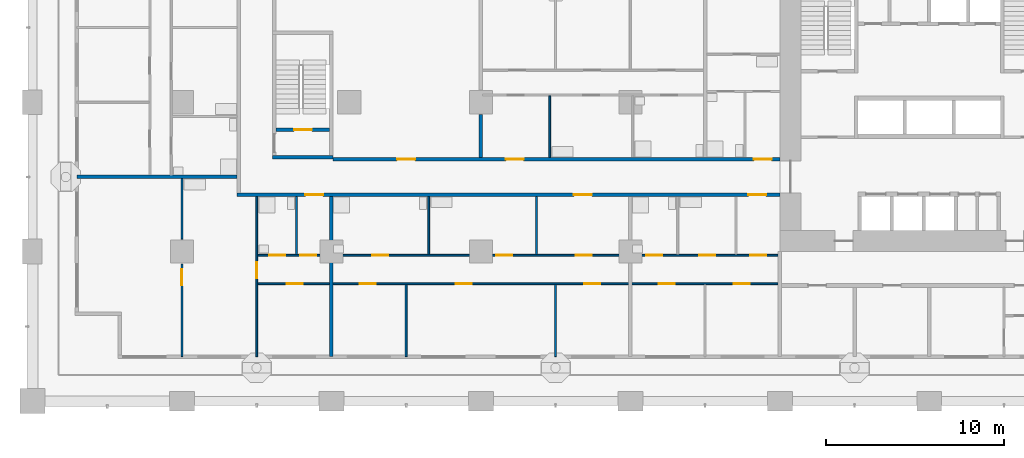
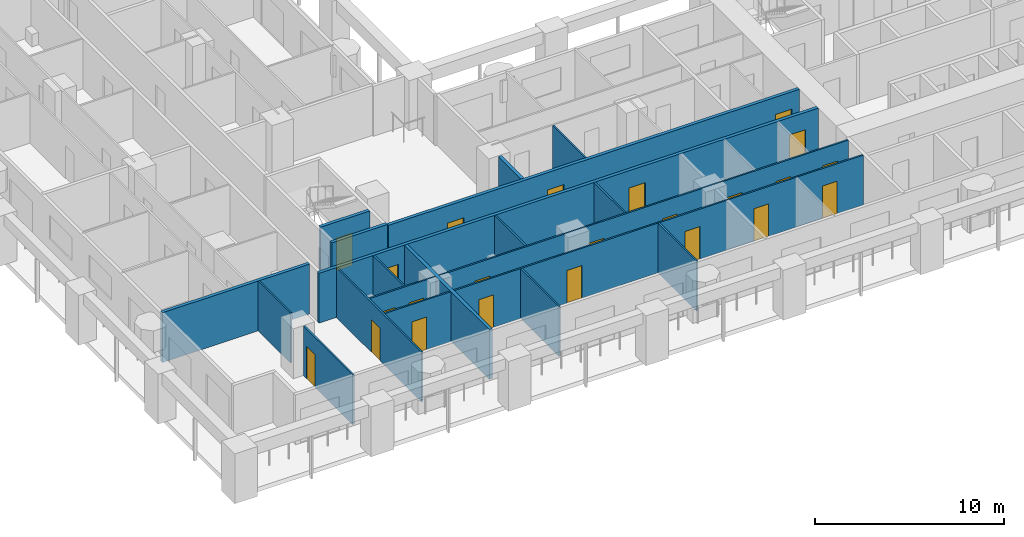
# One storey, part 2 of 20: 23 doors, 18 walls, 23 openings.
"""IFC4 building model written with IfcOpenShell, lengths in metres."""

from ifc_helpers import new_model, si_unit, direction, frame, frame_2d, origin, place, context, subcontext, project, spatial, rectangle, extrude, material, layer, layer_set, type_object, element, fill, save


model = new_model("IFC4")

# Units and contexts
model_context = context("Model", 3, precision=1e-05, world=origin(), true_north=direction((0.0, 1.0)))
body_context = subcontext(model_context, "Body", "Model", "MODEL_VIEW")
ifc_project = project(units=[si_unit("LENGTHUNIT", "METRE"), si_unit("AREAUNIT", "SQUARE_METRE"), si_unit("VOLUMEUNIT", "CUBIC_METRE"), si_unit("PLANEANGLEUNIT", "RADIAN"), si_unit("MASSUNIT", "GRAM", prefix="KILO")], contexts=[model_context])

# Site, building, storey
site_placement = place(None, origin())
site = spatial("IfcSite", under=ifc_project, at=site_placement, CompositionType="ELEMENT")
building_placement = place(site_placement, origin())
building = spatial("IfcBuilding", under=site, at=building_placement, Name="Vermilion Gate Residences", CompositionType="ELEMENT")
storey_placement = place(building_placement, frame((0.0, 0.0, 39.199951171875)))
storey = spatial("IfcBuildingStorey", under=building, at=storey_placement, Name="L08", CompositionType="ELEMENT", Elevation=39.199951171875)

# Wall, openings, doors
ifc_material_1 = material(Name="Plasterboard on steel studs", Category="steel")
ifc_layer_1 = layer(ifc_material_1, 0.10009765625)
ifc_layer_set_1 = layer_set([ifc_layer_1], Name="PARTITION 100")
wall_type_1 = type_object("IfcWallType", Name="PARTITION 100", PredefinedType="PARTITIONING", material=ifc_layer_set_1)
wall_1_placement = place(storey_placement, frame((12.64990234375, 6.60009765625, 0.0), z_axis=(0.0, 0.0, 1.0), x_axis=(1.0, 0.0, 0.0)))
wall_1 = element("IfcWall", 1, at=wall_1_placement, inside=storey, type_object=wall_type_1, Name="Partition", PredefinedType="PARTITIONING", context=body_context, shape_type="SweptSolid", body=[
    extrude(rectangle(XDim=29.25, YDim=0.10009765625, at=frame_2d((14.625, 0.0))), origin(), (0.0, 0.0, 1.0), 3.219970703125),
])
opening_1_placement = place(wall_1_placement, frame((1.64990234375, 0.0, 0.0)))
opening_1 = element("IfcOpeningElement", 2, at=opening_1_placement, cuts=wall_1, Name="Opening DA07007", PredefinedType="OPENING", context=body_context, shape_type="SweptSolid", body=[
    extrude(rectangle(XDim=0.89990234375, YDim=2.10009765625, at=frame_2d((0.449951171875, 1.050048828125))), frame((0.0, 0.06005859375, 0.0), z_axis=(0.0, -1.0, 0.0), x_axis=(1.0, 0.0, 0.0)), (0.0, 0.0, 1.0), 0.1201171875),
])
opening_2_placement = place(wall_1_placement, frame((5.75, 0.0, 0.0)))
opening_2 = element("IfcOpeningElement", 3, at=opening_2_placement, cuts=wall_1, Name="Opening DA07008", PredefinedType="OPENING", context=body_context, shape_type="SweptSolid", body=[
    extrude(rectangle(XDim=0.89990234375, YDim=2.10009765625, at=frame_2d((0.449951171875, 1.050048828125))), frame((0.0, 0.06005859375, 0.0), z_axis=(0.0, -1.0, 0.0), x_axis=(1.0, 0.0, 0.0)), (0.0, 0.0, 1.0), 0.1201171875),
])
opening_3_placement = place(wall_1_placement, frame((11.14990234375, 0.0, 0.0)))
opening_3 = element("IfcOpeningElement", 4, at=opening_3_placement, cuts=wall_1, Name="Opening DA07009", PredefinedType="OPENING", context=body_context, shape_type="SweptSolid", body=[
    extrude(rectangle(XDim=0.89990234375, YDim=2.10009765625, at=frame_2d((0.449951171875, 1.050048828125))), frame((0.0, 0.06005859375, 0.0), z_axis=(0.0, -1.0, 0.0), x_axis=(1.0, 0.0, 0.0)), (0.0, 0.0, 1.0), 0.1201171875),
])
opening_4_placement = place(wall_1_placement, frame((18.35009765625, 0.0, 0.0)))
opening_4 = element("IfcOpeningElement", 5, at=opening_4_placement, cuts=wall_1, Name="Opening DA07010", PredefinedType="OPENING", context=body_context, shape_type="SweptSolid", body=[
    extrude(rectangle(XDim=0.89990234375, YDim=2.10009765625, at=frame_2d((0.449951171875, 1.050048828125))), frame((0.0, 0.06005859375, 0.0), z_axis=(0.0, -1.0, 0.0), x_axis=(1.0, 0.0, 0.0)), (0.0, 0.0, 1.0), 0.1201171875),
])
opening_5_placement = place(wall_1_placement, frame((22.550048828125, 0.0, 0.0)))
opening_5 = element("IfcOpeningElement", 6, at=opening_5_placement, cuts=wall_1, Name="Opening DA07011", PredefinedType="OPENING", context=body_context, shape_type="SweptSolid", body=[
    extrude(rectangle(XDim=0.89990234375, YDim=2.10009765625, at=frame_2d((0.449951171875, 1.050048828125))), frame((0.0, 0.06005859375, 0.0), z_axis=(0.0, -1.0, 0.0), x_axis=(1.0, 0.0, 0.0)), (0.0, 0.0, 1.0), 0.1201171875),
])
opening_6_placement = place(wall_1_placement, frame((26.75, 0.0, 0.0)))
opening_6 = element("IfcOpeningElement", 7, at=opening_6_placement, cuts=wall_1, Name="Opening DA07012", PredefinedType="OPENING", context=body_context, shape_type="SweptSolid", body=[
    extrude(rectangle(XDim=0.89990234375, YDim=2.10009765625, at=frame_2d((0.449951171875, 1.050048828125))), frame((0.0, 0.06005859375, 0.0), z_axis=(0.0, -1.0, 0.0), x_axis=(1.0, 0.0, 0.0)), (0.0, 0.0, 1.0), 0.1201171875),
])
ifc_material_2 = material(Name="Timber", Category="wood")
door_type_1 = type_object("IfcDoorType", Name="INTERIOR DOOR 900 X 2100", OperationType="SINGLE_SWING_LEFT", PredefinedType="DOOR", material=ifc_material_2)
door_1_placement = place(opening_1_placement, frame((0.89990234375, 0.0, 0.0), z_axis=(0.0, 0.0, 1.0), x_axis=(-1.0, 0.0, 0.0)))
door_1 = element("IfcDoor", 8, at=door_1_placement, inside=storey, type_object=door_type_1, Name="Interior door", OperationType="SINGLE_SWING_LEFT", OverallHeight=2.10009765625, OverallWidth=0.89990234375, PredefinedType="DOOR", context=body_context, shape_type="SweptSolid", body=[
    extrude(rectangle(XDim=0.89990234375, YDim=2.10009765625, at=frame_2d((0.449951171875, 1.050048828125))), frame((0.0, 0.02490234375, 0.0), z_axis=(0.0, -1.0, 0.0), x_axis=(1.0, 0.0, 0.0)), (0.0, 0.0, 1.0), 0.050048828125),
])
fill(opening_1, door_1)
door_2_placement = place(opening_2_placement, frame((0.89990234375, 0.0, 0.0), z_axis=(0.0, 0.0, 1.0), x_axis=(-1.0, 0.0, 0.0)))
door_2 = element("IfcDoor", 9, at=door_2_placement, inside=storey, type_object=door_type_1, Name="Interior door", OperationType="SINGLE_SWING_RIGHT", OverallHeight=2.10009765625, OverallWidth=0.89990234375, PredefinedType="DOOR", context=body_context, shape_type="SweptSolid", body=[
    extrude(rectangle(XDim=0.89990234375, YDim=2.10009765625, at=frame_2d((0.449951171875, 1.050048828125))), frame((0.0, 0.02490234375, 0.0), z_axis=(0.0, -1.0, 0.0), x_axis=(1.0, 0.0, 0.0)), (0.0, 0.0, 1.0), 0.050048828125),
])
fill(opening_2, door_2)
door_3_placement = place(opening_3_placement, frame((0.89990234375, 0.0, 0.0), z_axis=(0.0, 0.0, 1.0), x_axis=(-1.0, 0.0, 0.0)))
door_3 = element("IfcDoor", 10, at=door_3_placement, inside=storey, type_object=door_type_1, Name="Interior door", OperationType="SINGLE_SWING_RIGHT", OverallHeight=2.10009765625, OverallWidth=0.89990234375, PredefinedType="DOOR", context=body_context, shape_type="SweptSolid", body=[
    extrude(rectangle(XDim=0.89990234375, YDim=2.10009765625, at=frame_2d((0.449951171875, 1.050048828125))), frame((0.0, 0.02490234375, 0.0), z_axis=(0.0, -1.0, 0.0), x_axis=(1.0, 0.0, 0.0)), (0.0, 0.0, 1.0), 0.050048828125),
])
fill(opening_3, door_3)
door_4_placement = place(opening_4_placement, frame((0.89990234375, 0.0, 0.0), z_axis=(0.0, 0.0, 1.0), x_axis=(-1.0, 0.0, 0.0)))
door_4 = element("IfcDoor", 11, at=door_4_placement, inside=storey, type_object=door_type_1, Name="Interior door", OperationType="SINGLE_SWING_RIGHT", OverallHeight=2.10009765625, OverallWidth=0.89990234375, PredefinedType="DOOR", context=body_context, shape_type="SweptSolid", body=[
    extrude(rectangle(XDim=0.89990234375, YDim=2.10009765625, at=frame_2d((0.449951171875, 1.050048828125))), frame((0.0, 0.02490234375, 0.0), z_axis=(0.0, -1.0, 0.0), x_axis=(1.0, 0.0, 0.0)), (0.0, 0.0, 1.0), 0.050048828125),
])
fill(opening_4, door_4)
door_5_placement = place(opening_5_placement, frame((0.89990234375, 0.0, 0.0), z_axis=(0.0, 0.0, 1.0), x_axis=(-1.0, 0.0, 0.0)))
door_5 = element("IfcDoor", 12, at=door_5_placement, inside=storey, type_object=door_type_1, Name="Interior door", OperationType="SINGLE_SWING_RIGHT", OverallHeight=2.10009765625, OverallWidth=0.89990234375, PredefinedType="DOOR", context=body_context, shape_type="SweptSolid", body=[
    extrude(rectangle(XDim=0.89990234375, YDim=2.10009765625, at=frame_2d((0.449951171875, 1.050048828125))), frame((0.0, 0.02490234375, 0.0), z_axis=(0.0, -1.0, 0.0), x_axis=(1.0, 0.0, 0.0)), (0.0, 0.0, 1.0), 0.050048828125),
])
fill(opening_5, door_5)
door_6_placement = place(opening_6_placement, frame((0.89990234375, 0.0, 0.0), z_axis=(0.0, 0.0, 1.0), x_axis=(-1.0, 0.0, 0.0)))
door_6 = element("IfcDoor", 13, at=door_6_placement, inside=storey, type_object=door_type_1, Name="Interior door", OperationType="SINGLE_SWING_RIGHT", OverallHeight=2.10009765625, OverallWidth=0.89990234375, PredefinedType="DOOR", context=body_context, shape_type="SweptSolid", body=[
    extrude(rectangle(XDim=0.89990234375, YDim=2.10009765625, at=frame_2d((0.449951171875, 1.050048828125))), frame((0.0, 0.02490234375, 0.0), z_axis=(0.0, -1.0, 0.0), x_axis=(1.0, 0.0, 0.0)), (0.0, 0.0, 1.0), 0.050048828125),
])
fill(opening_6, door_6)

wall_2_placement = place(storey_placement, frame((12.64990234375, 8.199951171875, 0.0), z_axis=(0.0, 0.0, 1.0), x_axis=(1.0, 0.0, 0.0)))
wall_2 = element("IfcWall", 14, at=wall_2_placement, inside=storey, type_object=wall_type_1, Name="Partition", PredefinedType="PARTITIONING", context=body_context, shape_type="SweptSolid", body=[
    extrude(rectangle(XDim=29.25, YDim=0.10009765625, at=frame_2d((14.625, 0.0))), origin(), (0.0, 0.0, 1.0), 3.219970703125),
])
opening_7_placement = place(wall_2_placement, frame((2.389892578125, 0.0, 0.0)))
opening_7 = element("IfcOpeningElement", 15, at=opening_7_placement, cuts=wall_2, Name="Opening DA07013", PredefinedType="OPENING", context=body_context, shape_type="SweptSolid", body=[
    extrude(rectangle(XDim=0.89990234375, YDim=2.10009765625, at=frame_2d((0.449951171875, 1.050048828125))), frame((0.0, 0.06005859375, 0.0), z_axis=(0.0, -1.0, 0.0), x_axis=(1.0, 0.0, 0.0)), (0.0, 0.0, 1.0), 0.1201171875),
])
opening_8_placement = place(wall_2_placement, frame((0.64990234375, 0.0, 0.0)))
opening_8 = element("IfcOpeningElement", 16, at=opening_8_placement, cuts=wall_2, Name="Opening DA07014", PredefinedType="OPENING", context=body_context, shape_type="SweptSolid", body=[
    extrude(rectangle(XDim=0.89990234375, YDim=2.10009765625, at=frame_2d((0.449951171875, 1.050048828125))), frame((0.0, 0.06005859375, 0.0), z_axis=(0.0, -1.0, 0.0), x_axis=(1.0, 0.0, 0.0)), (0.0, 0.0, 1.0), 0.1201171875),
])
opening_9_placement = place(wall_2_placement, frame((17.883056640625, 0.0, 0.0)))
opening_9 = element("IfcOpeningElement", 17, at=opening_9_placement, cuts=wall_2, Name="Opening DA07015", PredefinedType="OPENING", context=body_context, shape_type="SweptSolid", body=[
    extrude(rectangle(XDim=0.89990234375, YDim=2.10009765625, at=frame_2d((0.449951171875, 1.050048828125))), frame((0.0, 0.06005859375, 0.0), z_axis=(0.0, -1.0, 0.0), x_axis=(1.0, 0.0, 0.0)), (0.0, 0.0, 1.0), 0.1201171875),
])
opening_10_placement = place(wall_2_placement, frame((6.449951171875, 0.0, 0.0)))
opening_10 = element("IfcOpeningElement", 18, at=opening_10_placement, cuts=wall_2, Name="Opening DA07016", PredefinedType="OPENING", context=body_context, shape_type="SweptSolid", body=[
    extrude(rectangle(XDim=0.89990234375, YDim=2.10009765625, at=frame_2d((0.449951171875, 1.050048828125))), frame((0.0, 0.06005859375, 0.0), z_axis=(0.0, -1.0, 0.0), x_axis=(1.0, 0.0, 0.0)), (0.0, 0.0, 1.0), 0.1201171875),
])
opening_11_placement = place(wall_2_placement, frame((13.4169921875, 0.0, 0.0)))
opening_11 = element("IfcOpeningElement", 19, at=opening_11_placement, cuts=wall_2, Name="Opening DA07017", PredefinedType="OPENING", context=body_context, shape_type="SweptSolid", body=[
    extrude(rectangle(XDim=0.89990234375, YDim=2.10009765625, at=frame_2d((0.449951171875, 1.050048828125))), frame((0.0, 0.06005859375, 0.0), z_axis=(0.0, -1.0, 0.0), x_axis=(1.0, 0.0, 0.0)), (0.0, 0.0, 1.0), 0.1201171875),
])
opening_12_placement = place(wall_2_placement, frame((27.68310546875, 0.0, 0.0)))
opening_12 = element("IfcOpeningElement", 20, at=opening_12_placement, cuts=wall_2, Name="Opening DA07018", PredefinedType="OPENING", context=body_context, shape_type="SweptSolid", body=[
    extrude(rectangle(XDim=0.89990234375, YDim=2.10009765625, at=frame_2d((0.449951171875, 1.050048828125))), frame((0.0, 0.06005859375, 0.0), z_axis=(0.0, -1.0, 0.0), x_axis=(1.0, 0.0, 0.0)), (0.0, 0.0, 1.0), 0.1201171875),
])
opening_13_placement = place(wall_2_placement, frame((21.85009765625, 0.0, 0.0)))
opening_13 = element("IfcOpeningElement", 21, at=opening_13_placement, cuts=wall_2, Name="Opening DA07019", PredefinedType="OPENING", context=body_context, shape_type="SweptSolid", body=[
    extrude(rectangle(XDim=0.89990234375, YDim=2.10009765625, at=frame_2d((0.449951171875, 1.050048828125))), frame((0.0, 0.06005859375, 0.0), z_axis=(0.0, -1.0, 0.0), x_axis=(1.0, 0.0, 0.0)), (0.0, 0.0, 1.0), 0.1201171875),
])
opening_14_placement = place(wall_2_placement, frame((24.81689453125, 0.0, 0.0)))
opening_14 = element("IfcOpeningElement", 22, at=opening_14_placement, cuts=wall_2, Name="Opening DA07020", PredefinedType="OPENING", context=body_context, shape_type="SweptSolid", body=[
    extrude(rectangle(XDim=0.89990234375, YDim=2.10009765625, at=frame_2d((0.449951171875, 1.050048828125))), frame((0.0, 0.06005859375, 0.0), z_axis=(0.0, -1.0, 0.0), x_axis=(1.0, 0.0, 0.0)), (0.0, 0.0, 1.0), 0.1201171875),
])
door_7_placement = place(opening_7_placement, origin())
door_7 = element("IfcDoor", 23, at=door_7_placement, inside=storey, type_object=door_type_1, Name="Interior door", OperationType="SINGLE_SWING_LEFT", OverallHeight=2.10009765625, OverallWidth=0.89990234375, PredefinedType="DOOR", context=body_context, shape_type="SweptSolid", body=[
    extrude(rectangle(XDim=0.89990234375, YDim=2.10009765625, at=frame_2d((0.449951171875, 1.050048828125))), frame((0.0, 0.02490234375, 0.0), z_axis=(0.0, -1.0, 0.0), x_axis=(1.0, 0.0, 0.0)), (0.0, 0.0, 1.0), 0.050048828125),
])
fill(opening_7, door_7)
door_8_placement = place(opening_8_placement, origin())
door_8 = element("IfcDoor", 24, at=door_8_placement, inside=storey, type_object=door_type_1, Name="Interior door", OperationType="SINGLE_SWING_LEFT", OverallHeight=2.10009765625, OverallWidth=0.89990234375, PredefinedType="DOOR", context=body_context, shape_type="SweptSolid", body=[
    extrude(rectangle(XDim=0.89990234375, YDim=2.10009765625, at=frame_2d((0.449951171875, 1.050048828125))), frame((0.0, 0.02490234375, 0.0), z_axis=(0.0, -1.0, 0.0), x_axis=(1.0, 0.0, 0.0)), (0.0, 0.0, 1.0), 0.050048828125),
])
fill(opening_8, door_8)
door_9_placement = place(opening_9_placement, origin())
door_9 = element("IfcDoor", 25, at=door_9_placement, inside=storey, type_object=door_type_1, Name="Interior door", OperationType="SINGLE_SWING_RIGHT", OverallHeight=2.10009765625, OverallWidth=0.89990234375, PredefinedType="DOOR", context=body_context, shape_type="SweptSolid", body=[
    extrude(rectangle(XDim=0.89990234375, YDim=2.10009765625, at=frame_2d((0.449951171875, 1.050048828125))), frame((0.0, 0.02490234375, 0.0), z_axis=(0.0, -1.0, 0.0), x_axis=(1.0, 0.0, 0.0)), (0.0, 0.0, 1.0), 0.050048828125),
])
fill(opening_9, door_9)
door_10_placement = place(opening_10_placement, origin())
door_10 = element("IfcDoor", 26, at=door_10_placement, inside=storey, type_object=door_type_1, Name="Interior door", OperationType="SINGLE_SWING_LEFT", OverallHeight=2.10009765625, OverallWidth=0.89990234375, PredefinedType="DOOR", context=body_context, shape_type="SweptSolid", body=[
    extrude(rectangle(XDim=0.89990234375, YDim=2.10009765625, at=frame_2d((0.449951171875, 1.050048828125))), frame((0.0, 0.02490234375, 0.0), z_axis=(0.0, -1.0, 0.0), x_axis=(1.0, 0.0, 0.0)), (0.0, 0.0, 1.0), 0.050048828125),
])
fill(opening_10, door_10)
door_11_placement = place(opening_11_placement, origin())
door_11 = element("IfcDoor", 27, at=door_11_placement, inside=storey, type_object=door_type_1, Name="Interior door", OperationType="SINGLE_SWING_LEFT", OverallHeight=2.10009765625, OverallWidth=0.89990234375, PredefinedType="DOOR", context=body_context, shape_type="SweptSolid", body=[
    extrude(rectangle(XDim=0.89990234375, YDim=2.10009765625, at=frame_2d((0.449951171875, 1.050048828125))), frame((0.0, 0.02490234375, 0.0), z_axis=(0.0, -1.0, 0.0), x_axis=(1.0, 0.0, 0.0)), (0.0, 0.0, 1.0), 0.050048828125),
])
fill(opening_11, door_11)
door_12_placement = place(opening_12_placement, origin())
door_12 = element("IfcDoor", 28, at=door_12_placement, inside=storey, type_object=door_type_1, Name="Interior door", OperationType="SINGLE_SWING_RIGHT", OverallHeight=2.10009765625, OverallWidth=0.89990234375, PredefinedType="DOOR", context=body_context, shape_type="SweptSolid", body=[
    extrude(rectangle(XDim=0.89990234375, YDim=2.10009765625, at=frame_2d((0.449951171875, 1.050048828125))), frame((0.0, 0.02490234375, 0.0), z_axis=(0.0, -1.0, 0.0), x_axis=(1.0, 0.0, 0.0)), (0.0, 0.0, 1.0), 0.050048828125),
])
fill(opening_12, door_12)
door_13_placement = place(opening_13_placement, origin())
door_13 = element("IfcDoor", 29, at=door_13_placement, inside=storey, type_object=door_type_1, Name="Interior door", OperationType="SINGLE_SWING_LEFT", OverallHeight=2.10009765625, OverallWidth=0.89990234375, PredefinedType="DOOR", context=body_context, shape_type="SweptSolid", body=[
    extrude(rectangle(XDim=0.89990234375, YDim=2.10009765625, at=frame_2d((0.449951171875, 1.050048828125))), frame((0.0, 0.02490234375, 0.0), z_axis=(0.0, -1.0, 0.0), x_axis=(1.0, 0.0, 0.0)), (0.0, 0.0, 1.0), 0.050048828125),
])
fill(opening_13, door_13)
door_14_placement = place(opening_14_placement, origin())
door_14 = element("IfcDoor", 30, at=door_14_placement, inside=storey, type_object=door_type_1, Name="Interior door", OperationType="SINGLE_SWING_RIGHT", OverallHeight=2.10009765625, OverallWidth=0.89990234375, PredefinedType="DOOR", context=body_context, shape_type="SweptSolid", body=[
    extrude(rectangle(XDim=0.89990234375, YDim=2.10009765625, at=frame_2d((0.449951171875, 1.050048828125))), frame((0.0, 0.02490234375, 0.0), z_axis=(0.0, -1.0, 0.0), x_axis=(1.0, 0.0, 0.0)), (0.0, 0.0, 1.0), 0.050048828125),
])
fill(opening_14, door_14)

# Wall, opening, door
wall_3_placement = place(storey_placement, frame((8.39990234375, 2.5, 0.0), z_axis=(0.0, 0.0, 1.0), x_axis=(0.0, 1.0, 0.0)))
wall_3 = element("IfcWall", 31, at=wall_3_placement, inside=storey, type_object=wall_type_1, Name="Partition", PredefinedType="PARTITIONING", context=body_context, shape_type="SweptSolid", body=[
    extrude(rectangle(XDim=5.199951171875, YDim=0.10009765625, at=frame_2d((2.60009765625, 0.0))), origin(), (0.0, 0.0, 1.0), 3.219970703125),
])
opening_15_placement = place(wall_3_placement, frame((4.0, 0.0, 0.0)))
opening_15 = element("IfcOpeningElement", 32, at=opening_15_placement, cuts=wall_3, Name="Opening DA07051", PredefinedType="OPENING", context=body_context, shape_type="SweptSolid", body=[
    extrude(rectangle(XDim=0.89990234375, YDim=2.10009765625, at=frame_2d((0.449951171875, 1.050048828125))), frame((0.0, 0.06005859375, 0.0), z_axis=(0.0, -1.0, 0.0), x_axis=(1.0, 0.0, 0.0)), (0.0, 0.0, 1.0), 0.1201171875),
])
door_15_placement = place(opening_15_placement, frame((0.89990234375, 0.0, 0.0), z_axis=(0.0, 0.0, 1.0), x_axis=(-1.0, 0.0, 0.0)))
door_15 = element("IfcDoor", 33, at=door_15_placement, inside=storey, type_object=door_type_1, Name="Interior door", OperationType="SINGLE_SWING_LEFT", OverallHeight=2.10009765625, OverallWidth=0.89990234375, PredefinedType="DOOR", context=body_context, shape_type="SweptSolid", body=[
    extrude(rectangle(XDim=0.89990234375, YDim=2.10009765625, at=frame_2d((0.449951171875, 1.050048828125))), frame((0.0, 0.02490234375, 0.0), z_axis=(0.0, -1.0, 0.0), x_axis=(1.0, 0.0, 0.0)), (0.0, 0.0, 1.0), 0.050048828125),
])
fill(opening_15, door_15)

# Wall
wall_4_placement = place(storey_placement, frame((8.39990234375, 9.10009765625, 0.0), z_axis=(0.0, 0.0, 1.0), x_axis=(0.0, 1.0, 0.0)))
element("IfcWall", 34, at=wall_4_placement, inside=storey, type_object=wall_type_1, Name="Partition", PredefinedType="PARTITIONING", context=body_context, shape_type="SweptSolid", body=[
    extrude(rectangle(XDim=3.39990234375, YDim=0.10009765625, at=frame_2d((1.699951171875, 0.0))), origin(), (0.0, 0.0, 1.0), 3.219970703125),
])

# Wall, opening, door
wall_5_placement = place(storey_placement, frame((12.60009765625, 2.5, 0.0), z_axis=(0.0, 0.0, 1.0), x_axis=(0.0, 1.0, 0.0)))
wall_5 = element("IfcWall", 35, at=wall_5_placement, inside=storey, type_object=wall_type_1, Name="Partition", PredefinedType="PARTITIONING", context=body_context, shape_type="SweptSolid", body=[
    extrude(rectangle(XDim=9.0, YDim=0.10009765625, at=frame_2d((4.5, 0.0))), origin(), (0.0, 0.0, 1.0), 3.219970703125),
])
opening_16_placement = place(wall_5_placement, frame((4.39990234375, 0.0, 0.0)))
opening_16 = element("IfcOpeningElement", 36, at=opening_16_placement, cuts=wall_5, Name="Opening DA07054", PredefinedType="OPENING", context=body_context, shape_type="SweptSolid", body=[
    extrude(rectangle(XDim=0.89990234375, YDim=2.10009765625, at=frame_2d((0.449951171875, 1.050048828125))), frame((0.0, 0.06005859375, 0.0), z_axis=(0.0, -1.0, 0.0), x_axis=(1.0, 0.0, 0.0)), (0.0, 0.0, 1.0), 0.1201171875),
])
door_16_placement = place(opening_16_placement, origin())
door_16 = element("IfcDoor", 37, at=door_16_placement, inside=storey, type_object=door_type_1, Name="Interior door", OperationType="SINGLE_SWING_LEFT", OverallHeight=2.10009765625, OverallWidth=0.89990234375, PredefinedType="DOOR", context=body_context, shape_type="SweptSolid", body=[
    extrude(rectangle(XDim=0.89990234375, YDim=2.10009765625, at=frame_2d((0.449951171875, 1.050048828125))), frame((0.0, 0.02490234375, 0.0), z_axis=(0.0, -1.0, 0.0), x_axis=(1.0, 0.0, 0.0)), (0.0, 0.0, 1.0), 0.050048828125),
])
fill(opening_16, door_16)

# Walls
wall_6_placement = place(storey_placement, frame((14.840087890625, 8.25, 0.0), z_axis=(0.0, 0.0, 1.0), x_axis=(0.0, 1.0, 0.0)))
element("IfcWall", 38, at=wall_6_placement, inside=storey, type_object=wall_type_1, Name="Partition", PredefinedType="PARTITIONING", context=body_context, shape_type="SweptSolid", body=[
    extrude(rectangle(XDim=3.25, YDim=0.10009765625, at=frame_2d((1.625, 0.0))), origin(), (0.0, 0.0, 1.0), 3.219970703125),
])
wall_7_placement = place(storey_placement, frame((21.0, 2.5, 0.0), z_axis=(0.0, 0.0, 1.0), x_axis=(0.0, 1.0, 0.0)))
element("IfcWall", 39, at=wall_7_placement, inside=storey, type_object=wall_type_1, Name="Partition", PredefinedType="PARTITIONING", context=body_context, shape_type="SweptSolid", body=[
    extrude(rectangle(XDim=4.050048828125, YDim=0.10009765625, at=frame_2d((2.02490234375, 0.0))), origin(), (0.0, 0.0, 1.0), 3.219970703125),
])
for number, where, z_axis, x_axis, name in (
    (40, (22.26708984375, 8.25, 0.0), (0.0, 0.0, 1.0), (0.0, 1.0, 0.0), "Partition"),
    (41, (28.3330078125, 8.25, 0.0), (0.0, 0.0, 1.0), (0.0, 1.0, 0.0), "Partition"),
):
    element("IfcWall", number, at=place(storey_placement, frame(where, z_axis=z_axis, x_axis=x_axis)), inside=storey, type_object=wall_type_1, Name=name, PredefinedType="PARTITIONING", context=body_context, shape_type="SweptSolid", body=[
        extrude(rectangle(XDim=3.25, YDim=0.10009765625, at=frame_2d((1.625, 0.0))), origin(), (0.0, 0.0, 1.0), 3.219970703125),
    ])
wall_8_placement = place(storey_placement, frame((29.06689453125, 13.699951171875, 0.0), z_axis=(0.0, 0.0, 1.0), x_axis=(0.0, 1.0, 0.0)))
element("IfcWall", 42, at=wall_8_placement, inside=storey, type_object=wall_type_1, Name="Partition", PredefinedType="PARTITIONING", context=body_context, shape_type="SweptSolid", body=[
    extrude(rectangle(XDim=3.449951171875, YDim=0.10009765625, at=frame_2d((1.72509765625, 0.0))), origin(), (0.0, 0.0, 1.0), 3.219970703125),
])
wall_9_placement = place(storey_placement, frame((29.39990234375, 2.5, 0.0), z_axis=(0.0, 0.0, 1.0), x_axis=(0.0, 1.0, 0.0)))
element("IfcWall", 43, at=wall_9_placement, inside=storey, type_object=wall_type_1, Name="Partition", PredefinedType="PARTITIONING", context=body_context, shape_type="SweptSolid", body=[
    extrude(rectangle(XDim=4.050048828125, YDim=0.10009765625, at=frame_2d((2.02490234375, 0.0))), origin(), (0.0, 0.0, 1.0), 3.219970703125),
])

# Wall, openings, doors
ifc_material_3 = material(Name="Fire-rated plasterboard on steel studs", Category="steel")
ifc_layer_2 = layer(ifc_material_3, 0.199951171875)
ifc_layer_set_2 = layer_set([ifc_layer_2], Name="PARTY WALL 200 EI 120")
wall_type_2 = type_object("IfcWallType", Name="PARTY WALL 200 EI 120", PredefinedType="PARTITIONING", material=ifc_layer_set_2)
wall_10_placement = place(storey_placement, frame((11.5, 11.60009765625, 0.0), z_axis=(0.0, 0.0, 1.0), x_axis=(1.0, 0.0, 0.0)))
wall_10 = element("IfcWall", 44, at=wall_10_placement, inside=storey, type_object=wall_type_2, Name="Party and corridor wall", PredefinedType="PARTITIONING", context=body_context, shape_type="SweptSolid", body=[
    extrude(rectangle(XDim=30.5, YDim=0.199951171875, at=frame_2d((15.25, 0.0))), origin(), (0.0, 0.0, 1.0), 3.219970703125),
])
opening_17_placement = place(wall_10_placement, frame((3.840087890625, 0.0, 0.0)))
opening_17 = element("IfcOpeningElement", 45, at=opening_17_placement, cuts=wall_10, Name="Opening DA07021", PredefinedType="OPENING", context=body_context, shape_type="SweptSolid", body=[
    extrude(rectangle(XDim=1.0, YDim=2.10009765625, at=frame_2d((0.5, 1.050048828125))), frame((0.0, 0.10986328125, 0.0), z_axis=(0.0, -1.0, 0.0), x_axis=(1.0, 0.0, 0.0)), (0.0, 0.0, 1.0), 0.219970703125),
])
opening_18_placement = place(wall_10_placement, frame((18.93310546875, 0.0, 0.0)))
opening_18 = element("IfcOpeningElement", 46, at=opening_18_placement, cuts=wall_10, Name="Opening DA07022", PredefinedType="OPENING", context=body_context, shape_type="SweptSolid", body=[
    extrude(rectangle(XDim=1.0, YDim=2.10009765625, at=frame_2d((0.5, 1.050048828125))), frame((0.0, 0.10986328125, 0.0), z_axis=(0.0, -1.0, 0.0), x_axis=(1.0, 0.0, 0.0)), (0.0, 0.0, 1.0), 0.219970703125),
])
opening_19_placement = place(wall_10_placement, frame((28.73291015625, 0.0, 0.0)))
opening_19 = element("IfcOpeningElement", 47, at=opening_19_placement, cuts=wall_10, Name="Opening DA07023", PredefinedType="OPENING", context=body_context, shape_type="SweptSolid", body=[
    extrude(rectangle(XDim=1.0, YDim=2.10009765625, at=frame_2d((0.5, 1.050048828125))), frame((0.0, 0.10986328125, 0.0), z_axis=(0.0, -1.0, 0.0), x_axis=(1.0, 0.0, 0.0)), (0.0, 0.0, 1.0), 0.219970703125),
])
ifc_material_4 = material(Name="Steel", Category="steel")
door_type_2 = type_object("IfcDoorType", Name="ENTRANCE DOOR 1000 X 2100 FD30", OperationType="SINGLE_SWING_LEFT", PredefinedType="DOOR", material=ifc_material_4)
door_17_placement = place(opening_17_placement, frame((1.0, 0.0, 0.0), z_axis=(0.0, 0.0, 1.0), x_axis=(-1.0, 0.0, 0.0)))
door_17 = element("IfcDoor", 48, at=door_17_placement, inside=storey, type_object=door_type_2, Name="Entrance door", OperationType="SINGLE_SWING_LEFT", OverallHeight=2.10009765625, OverallWidth=1.0, PredefinedType="DOOR", context=body_context, shape_type="SweptSolid", body=[
    extrude(rectangle(XDim=1.0, YDim=2.10009765625, at=frame_2d((0.5, 1.050048828125))), frame((0.0, 0.02490234375, 0.0), z_axis=(0.0, -1.0, 0.0), x_axis=(1.0, 0.0, 0.0)), (0.0, 0.0, 1.0), 0.050048828125),
])
fill(opening_17, door_17)
door_18_placement = place(opening_18_placement, frame((1.0, 0.0, 0.0), z_axis=(0.0, 0.0, 1.0), x_axis=(-1.0, 0.0, 0.0)))
door_18 = element("IfcDoor", 49, at=door_18_placement, inside=storey, type_object=door_type_2, Name="Entrance door", OperationType="SINGLE_SWING_RIGHT", OverallHeight=2.10009765625, OverallWidth=1.0, PredefinedType="DOOR", context=body_context, shape_type="SweptSolid", body=[
    extrude(rectangle(XDim=1.0, YDim=2.10009765625, at=frame_2d((0.5, 1.050048828125))), frame((0.0, 0.02490234375, 0.0), z_axis=(0.0, -1.0, 0.0), x_axis=(1.0, 0.0, 0.0)), (0.0, 0.0, 1.0), 0.050048828125),
])
fill(opening_18, door_18)
door_19_placement = place(opening_19_placement, frame((1.0, 0.0, 0.0), z_axis=(0.0, 0.0, 1.0), x_axis=(-1.0, 0.0, 0.0)))
door_19 = element("IfcDoor", 50, at=door_19_placement, inside=storey, type_object=door_type_2, Name="Entrance door", OperationType="SINGLE_SWING_RIGHT", OverallHeight=2.10009765625, OverallWidth=1.0, PredefinedType="DOOR", context=body_context, shape_type="SweptSolid", body=[
    extrude(rectangle(XDim=1.0, YDim=2.10009765625, at=frame_2d((0.5, 1.050048828125))), frame((0.0, 0.02490234375, 0.0), z_axis=(0.0, -1.0, 0.0), x_axis=(1.0, 0.0, 0.0)), (0.0, 0.0, 1.0), 0.050048828125),
])
fill(opening_19, door_19)

# Wall
wall_11_placement = place(storey_placement, frame((2.5, 12.60009765625, 0.0), z_axis=(0.0, 0.0, 1.0), x_axis=(1.0, 0.0, 0.0)))
element("IfcWall", 51, at=wall_11_placement, inside=storey, type_object=wall_type_2, Name="Party and corridor wall", PredefinedType="PARTITIONING", context=body_context, shape_type="SweptSolid", body=[
    extrude(rectangle(XDim=9.0, YDim=0.199951171875, at=frame_2d((4.5, 0.0))), origin(), (0.0, 0.0, 1.0), 3.219970703125),
])

# Wall, openings, doors
wall_12_placement = place(storey_placement, frame((16.89990234375, 13.60009765625, 0.0), z_axis=(0.0, 0.0, 1.0), x_axis=(1.0, 0.0, 0.0)))
wall_12 = element("IfcWall", 52, at=wall_12_placement, inside=storey, type_object=wall_type_2, Name="Party and corridor wall", PredefinedType="PARTITIONING", context=body_context, shape_type="SweptSolid", body=[
    extrude(rectangle(XDim=25.10009765625, YDim=0.199951171875, at=frame_2d((12.550048828125, 0.0))), origin(), (0.0, 0.0, 1.0), 3.219970703125),
])
opening_20_placement = place(wall_12_placement, frame((9.699951171875, 0.0, 0.0)))
opening_20 = element("IfcOpeningElement", 53, at=opening_20_placement, cuts=wall_12, Name="Opening DA07024", PredefinedType="OPENING", context=body_context, shape_type="SweptSolid", body=[
    extrude(rectangle(XDim=1.0, YDim=2.10009765625, at=frame_2d((0.5, 1.050048828125))), frame((0.0, 0.10986328125, 0.0), z_axis=(0.0, -1.0, 0.0), x_axis=(1.0, 0.0, 0.0)), (0.0, 0.0, 1.0), 0.219970703125),
])
opening_21_placement = place(wall_12_placement, frame((23.639892578125, 0.0, 0.0)))
opening_21 = element("IfcOpeningElement", 54, at=opening_21_placement, cuts=wall_12, Name="Opening DA07025", PredefinedType="OPENING", context=body_context, shape_type="SweptSolid", body=[
    extrude(rectangle(XDim=1.0, YDim=2.10009765625, at=frame_2d((0.5, 1.050048828125))), frame((0.0, 0.10986328125, 0.0), z_axis=(0.0, -1.0, 0.0), x_axis=(1.0, 0.0, 0.0)), (0.0, 0.0, 1.0), 0.219970703125),
])
opening_22_placement = place(wall_12_placement, frame((3.60009765625, 0.0, 0.0)))
opening_22 = element("IfcOpeningElement", 55, at=opening_22_placement, cuts=wall_12, Name="Opening DA07026", PredefinedType="OPENING", context=body_context, shape_type="SweptSolid", body=[
    extrude(rectangle(XDim=1.0, YDim=2.10009765625, at=frame_2d((0.5, 1.050048828125))), frame((0.0, 0.10986328125, 0.0), z_axis=(0.0, -1.0, 0.0), x_axis=(1.0, 0.0, 0.0)), (0.0, 0.0, 1.0), 0.219970703125),
])
door_20_placement = place(opening_20_placement, origin())
door_20 = element("IfcDoor", 56, at=door_20_placement, inside=storey, type_object=door_type_2, Name="Entrance door", OperationType="SINGLE_SWING_LEFT", OverallHeight=2.10009765625, OverallWidth=1.0, PredefinedType="DOOR", context=body_context, shape_type="SweptSolid", body=[
    extrude(rectangle(XDim=1.0, YDim=2.10009765625, at=frame_2d((0.5, 1.050048828125))), frame((0.0, 0.02490234375, 0.0), z_axis=(0.0, -1.0, 0.0), x_axis=(1.0, 0.0, 0.0)), (0.0, 0.0, 1.0), 0.050048828125),
])
fill(opening_20, door_20)
door_21_placement = place(opening_21_placement, origin())
door_21 = element("IfcDoor", 57, at=door_21_placement, inside=storey, type_object=door_type_2, Name="Entrance door", OperationType="SINGLE_SWING_LEFT", OverallHeight=2.10009765625, OverallWidth=1.0, PredefinedType="DOOR", context=body_context, shape_type="SweptSolid", body=[
    extrude(rectangle(XDim=1.0, YDim=2.10009765625, at=frame_2d((0.5, 1.050048828125))), frame((0.0, 0.02490234375, 0.0), z_axis=(0.0, -1.0, 0.0), x_axis=(1.0, 0.0, 0.0)), (0.0, 0.0, 1.0), 0.050048828125),
])
fill(opening_21, door_21)
door_22_placement = place(opening_22_placement, origin())
door_22 = element("IfcDoor", 58, at=door_22_placement, inside=storey, type_object=door_type_2, Name="Entrance door", OperationType="SINGLE_SWING_LEFT", OverallHeight=2.10009765625, OverallWidth=1.0, PredefinedType="DOOR", context=body_context, shape_type="SweptSolid", body=[
    extrude(rectangle(XDim=1.0, YDim=2.10009765625, at=frame_2d((0.5, 1.050048828125))), frame((0.0, 0.02490234375, 0.0), z_axis=(0.0, -1.0, 0.0), x_axis=(1.0, 0.0, 0.0)), (0.0, 0.0, 1.0), 0.050048828125),
])
fill(opening_22, door_22)

# Walls
wall_13_placement = place(storey_placement, frame((16.800048828125, 2.5, 0.0), z_axis=(0.0, 0.0, 1.0), x_axis=(0.0, 1.0, 0.0)))
element("IfcWall", 59, at=wall_13_placement, inside=storey, type_object=wall_type_2, Name="Party and corridor wall", PredefinedType="PARTITIONING", context=body_context, shape_type="SweptSolid", body=[
    extrude(rectangle(XDim=9.0, YDim=0.199951171875, at=frame_2d((4.5, 0.0))), origin(), (0.0, 0.0, 1.0), 3.219970703125),
])
wall_14_placement = place(storey_placement, frame((25.199951171875, 13.699951171875, 0.0), z_axis=(0.0, 0.0, 1.0), x_axis=(0.0, 1.0, 0.0)))
element("IfcWall", 60, at=wall_14_placement, inside=storey, type_object=wall_type_2, Name="Party and corridor wall", PredefinedType="PARTITIONING", context=body_context, shape_type="SweptSolid", body=[
    extrude(rectangle(XDim=2.400146484375, YDim=0.199951171875, at=frame_2d((1.2001953125, 0.0))), origin(), (0.0, 0.0, 1.0), 3.219970703125),
])
ifc_material_5 = material(Name="Concrete C60", Category="concrete")
ifc_layer_3 = layer(ifc_material_5, 0.199951171875)
ifc_layer_set_3 = layer_set([ifc_layer_3], Name="RC CORE INTERNAL WALL 200 C60")
wall_type_3 = type_object("IfcWallType", Name="RC CORE INTERNAL WALL 200 C60", PredefinedType="SHEAR", material=ifc_layer_set_3)
wall_15_placement = place(storey_placement, frame((13.5, 13.699951171875, 0.0), z_axis=(0.0, 0.0, 1.0), x_axis=(1.0, 0.0, 0.0)))
element("IfcWall", 61, at=wall_15_placement, inside=storey, type_object=wall_type_3, Name="Core internal wall C08-S", PredefinedType="SHEAR", context=body_context, shape_type="SweptSolid", body=[
    extrude(rectangle(XDim=3.39990234375, YDim=0.199951171875, at=frame_2d((1.699951171875, 0.0))), origin(), (0.0, 0.0, 1.0), 3.219970703125),
])

# Wall, opening, door
wall_16_placement = place(storey_placement, frame((13.699951171875, 15.25, 0.0), z_axis=(0.0, 0.0, 1.0), x_axis=(1.0, 0.0, 0.0)))
wall_16 = element("IfcWall", 62, at=wall_16_placement, inside=storey, type_object=wall_type_3, Name="Core internal wall C08-P", PredefinedType="SHEAR", context=body_context, shape_type="SweptSolid", body=[
    extrude(rectangle(XDim=3.0, YDim=0.199951171875, at=frame_2d((1.5, 0.0))), origin(), (0.0, 0.0, 1.0), 3.219970703125),
])
opening_23_placement = place(wall_16_placement, frame((1.0, 0.0, 0.0)))
opening_23 = element("IfcOpeningElement", 63, at=opening_23_placement, cuts=wall_16, Name="Opening DK08202", PredefinedType="OPENING", context=body_context, shape_type="SweptSolid", body=[
    extrude(rectangle(XDim=1.0, YDim=2.10009765625, at=frame_2d((0.5, 1.050048828125))), frame((0.0, 0.10986328125, 0.0), z_axis=(0.0, -1.0, 0.0), x_axis=(1.0, 0.0, 0.0)), (0.0, 0.0, 1.0), 0.219970703125),
])
ifc_material_6 = material(Name="Steel", Category="steel")
door_type_3 = type_object("IfcDoorType", Name="FIRE DOOR FD60 1000 X 2100", OperationType="SINGLE_SWING_LEFT", PredefinedType="DOOR", material=ifc_material_6)
door_23_placement = place(opening_23_placement, origin())
door_23 = element("IfcDoor", 64, at=door_23_placement, inside=storey, type_object=door_type_3, Name="Stair door C08", OperationType="SINGLE_SWING_LEFT", OverallHeight=2.10009765625, OverallWidth=1.0, PredefinedType="DOOR", context=body_context, shape_type="SweptSolid", body=[
    extrude(rectangle(XDim=1.0, YDim=2.10009765625, at=frame_2d((0.5, 1.050048828125))), frame((0.0, 0.02490234375, 0.0), z_axis=(0.0, -1.0, 0.0), x_axis=(1.0, 0.0, 0.0)), (0.0, 0.0, 1.0), 0.050048828125),
])
fill(opening_23, door_23)

save(model, "model.ifc")
